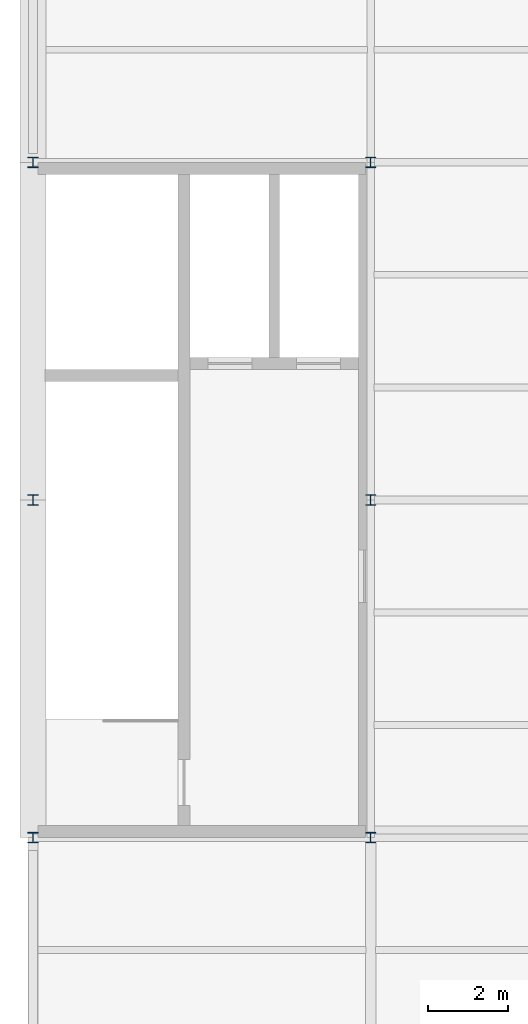
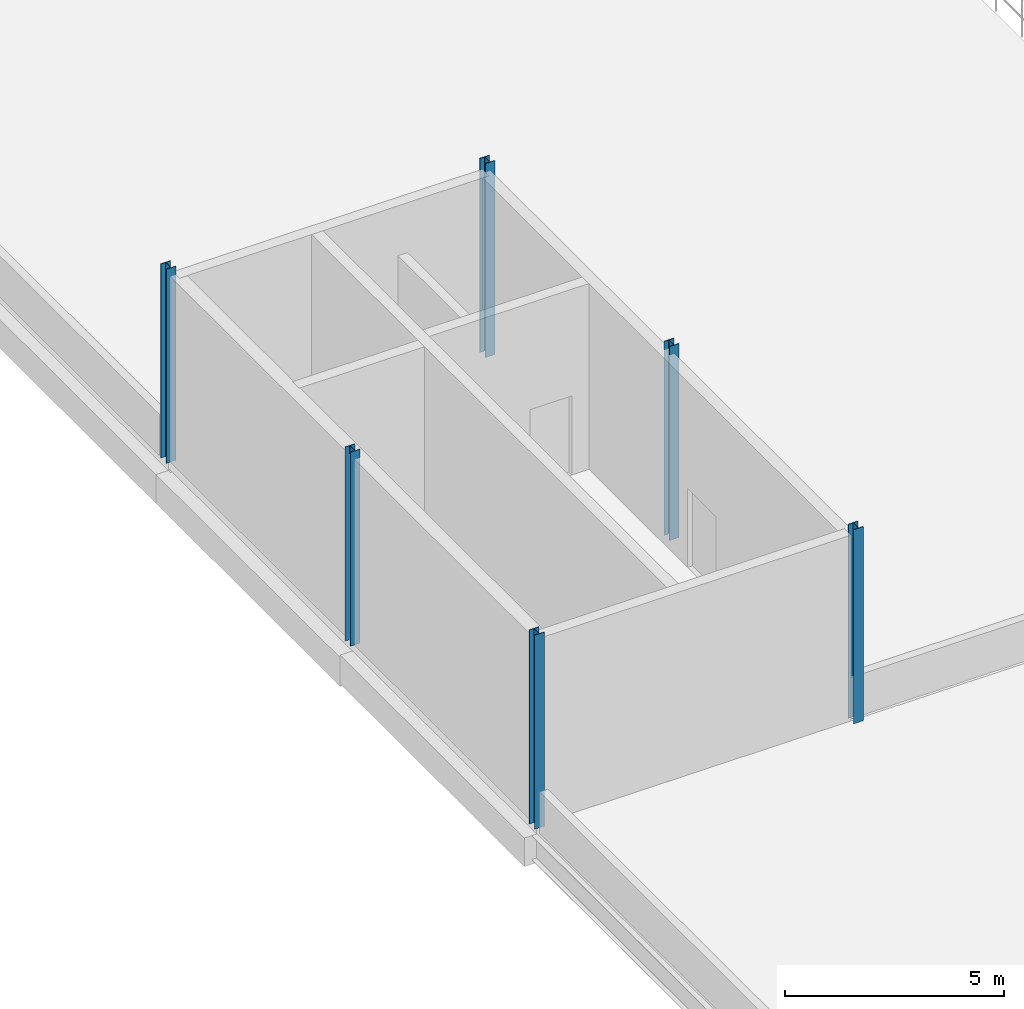
# One storey, part 1 of 33: 6 columns.
"""IFC4 building model written with IfcOpenShell, lengths in metres."""

from ifc_helpers import new_model, si_unit, direction, frame, origin, origin_2d, place, context, subcontext, project, spatial, i_section, extrude, material, material_profile, profile_set, type_object, element, save


model = new_model("IFC4")

# Units and contexts
model_context = context("Model", 3, precision=1e-05, world=origin(), true_north=direction((0.0, 1.0)))
body_context = subcontext(model_context, "Body", "Model", "MODEL_VIEW")
ifc_project = project(units=[si_unit("LENGTHUNIT", "METRE"), si_unit("AREAUNIT", "SQUARE_METRE"), si_unit("VOLUMEUNIT", "CUBIC_METRE"), si_unit("PLANEANGLEUNIT", "RADIAN"), si_unit("MASSUNIT", "GRAM", prefix="KILO"), si_unit("THERMODYNAMICTEMPERATUREUNIT", "KELVIN"), si_unit("POWERUNIT", "WATT")], contexts=[model_context])

# Site, building, storey
site_placement = place(None, origin())
site = spatial("IfcSite", under=ifc_project, at=site_placement, CompositionType="ELEMENT")
building_placement = place(site_placement, origin())
building = spatial("IfcBuilding", under=site, at=building_placement, Name="Tembeka Court Mobility Hub", CompositionType="ELEMENT")
storey_placement = place(building_placement, frame((0.0, 0.0, 23.39990234375)))
storey = spatial("IfcBuildingStorey", under=building, at=storey_placement, Name="L06", CompositionType="ELEMENT", Elevation=23.39990234375)

# Columns
ifc_material = material(Name="Steel S355", Category="steel")
ifc_material_profile = material_profile(ifc_material, i_section(OverallWidth=0.256103515625, OverallDepth=0.260009765625, WebThickness=0.01025390625, FlangeThickness=0.017333984375, FilletRadius=0.0126953125, at=origin_2d()), Name="UKC 254x254x89")
ifc_profile_set = profile_set([ifc_material_profile], Name="Steel S355")
column_type = type_object("IfcColumnType", Name="COL-C05", PredefinedType="COLUMN", material=ifc_profile_set)
for number, where, z_axis, x_axis, name in (
    (1, (0.0, 38.39990234375, 0.0), (0.0, 0.0, 1.0), (1.0, 0.0, 0.0), "Column C05 (L06-004)"),
    (2, (0.0, 46.800048828125, 0.0), (0.0, 0.0, 1.0), (1.0, 0.0, 0.0), "Column C05 (L06-005)"),
    (3, (0.0, 55.199951171875, 0.0), (0.0, 0.0, 1.0), (1.0, 0.0, 0.0), "Column C05 (L06-006)"),
    (4, (8.39990234375, 38.39990234375, 0.0), (0.0, 0.0, 1.0), (1.0, 0.0, 0.0), "Column C05 (L06-016)"),
    (5, (8.39990234375, 46.800048828125, 0.0), (0.0, 0.0, 1.0), (1.0, 0.0, 0.0), "Column C05 (L06-017)"),
    (6, (8.39990234375, 55.199951171875, 0.0), (0.0, 0.0, 1.0), (1.0, 0.0, 0.0), "Column C05 (L06-018)"),
):
    element("IfcColumn", number, at=place(storey_placement, frame(where, z_axis=z_axis, x_axis=x_axis)), inside=storey, type_object=column_type, Name=name, PredefinedType="COLUMN", context=body_context, shape_type="SweptSolid", body=[
        extrude(i_section(OverallWidth=0.256103515625, OverallDepth=0.260009765625, WebThickness=0.01025390625, FlangeThickness=0.017333984375, FilletRadius=0.0126953125, at=origin_2d()), origin(), (0.0, 0.0, 1.0), 5.400146484375),
    ])

save(model, "model.ifc")
